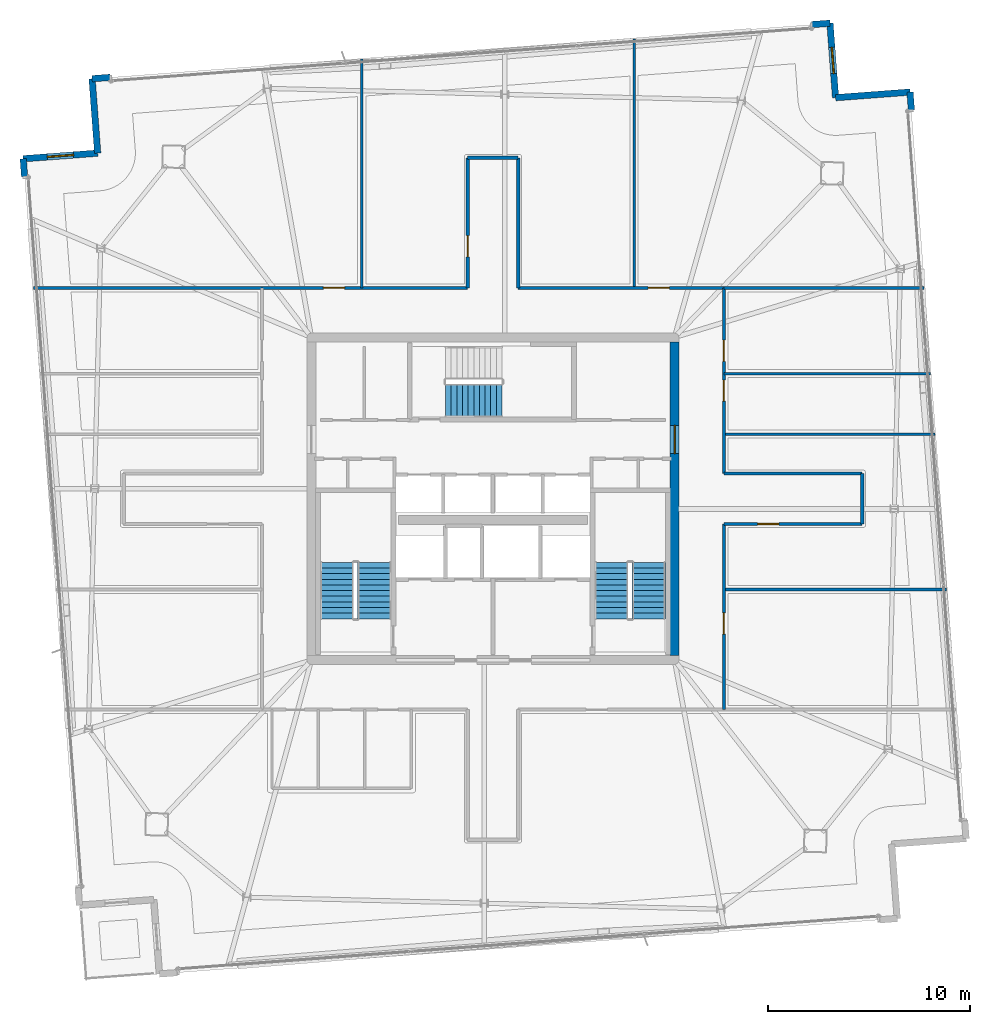
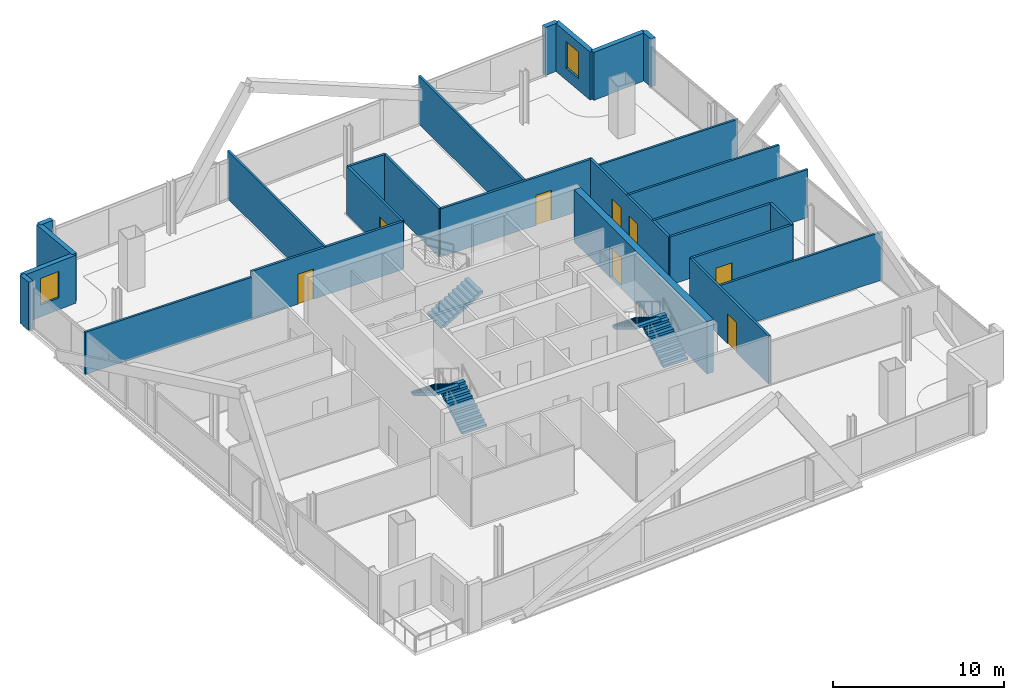
# One storey, part 19 of 23: 26 walls, 8 doors, 5 stair flights, 2 windows, 10 openings, 3 elements without a shape of their own.
"""IFC4 building model written with IfcOpenShell, lengths in metres."""

from ifc_helpers import new_model, si_unit, direction, frame, frame_2d, origin, place, context, subcontext, project, spatial, polyline, rectangle, outline, extrude, material, layer, layer_set, type_object, element, fill, aggregate, save


model = new_model("IFC4")

# Units and contexts
model_context = context("Model", 3, precision=1e-05, world=origin(), true_north=direction((0.0, 1.0)))
body_context = subcontext(model_context, "Body", "Model", "MODEL_VIEW")
ifc_project = project(units=[si_unit("LENGTHUNIT", "METRE"), si_unit("AREAUNIT", "SQUARE_METRE"), si_unit("VOLUMEUNIT", "CUBIC_METRE"), si_unit("PLANEANGLEUNIT", "RADIAN"), si_unit("MASSUNIT", "GRAM", prefix="KILO")], contexts=[model_context])

# Site, building, storey
site_placement = place(None, origin())
site = spatial("IfcSite", under=ifc_project, at=site_placement, CompositionType="ELEMENT")
building_placement = place(site_placement, origin())
building = spatial("IfcBuilding", under=site, at=building_placement, Name="Haldenkirk Collegiate Tower", CompositionType="ELEMENT")
storey_placement = place(building_placement, frame((0.0, 0.0, 343.949951171875)))
storey = spatial("IfcBuildingStorey", under=building, at=storey_placement, Name="L87", CompositionType="ELEMENT", Elevation=343.949951171875)

# Wall, opening, door
ifc_material_1 = material(Name="Concrete f'c 55 MPa", Category="concrete")
ifc_layer_1 = layer(ifc_material_1, 0.449951171875)
ifc_layer_set_1 = layer_set([ifc_layer_1], Name="Concrete f'c 55 MPa")
wall_type_1 = type_object("IfcWallType", Name="WL-CORE-450", PredefinedType="SHEAR", material=ifc_layer_set_1)
wall_1_placement = place(storey_placement, frame((45.0, 18.22509765625, 0.0), z_axis=(0.0, 0.0, 1.0), x_axis=(0.0, 1.0, 0.0)))
wall_1 = element("IfcWall", 1, at=wall_1_placement, inside=storey, type_object=wall_type_1, Name="L87 central core shear wall E", PredefinedType="SHEAR", context=body_context, shape_type="SweptSolid", body=[
    extrude(rectangle(XDim=15.5498046875, YDim=0.449951171875, at=frame_2d((7.77490234375, 0.0))), origin(), (0.0, 0.0, 1.0), 3.75),
])
opening_1_placement = place(wall_1_placement, frame((10.014892578125, 0.0, 0.0)))
opening_1 = element("IfcOpeningElement", 2, at=opening_1_placement, cuts=wall_1, Name="Opening D-03", PredefinedType="OPENING", context=body_context, shape_type="SweptSolid", body=[
    extrude(rectangle(XDim=1.39990234375, YDim=2.199951171875, at=frame_2d((0.699951171875, 1.10009765625))), frame((0.0, 0.23486328125, 0.0), z_axis=(0.0, -1.0, 0.0), x_axis=(1.0, 0.0, 0.0)), (0.0, 0.0, 1.0), 0.469970703125),
])
ifc_material_2 = material(Name="Galvanized fire-rated hollow steel door", Category="steel")
ifc_layer_2 = layer(ifc_material_2, 0.06005859375)
ifc_layer_set_2 = layer_set([ifc_layer_2], Name="Galvanized fire-rated hollow steel door")
door_type_1 = type_object("IfcDoorType", Name="DR-LOBBY-FD90-1400", OperationType="NOTDEFINED", PredefinedType="DOOR", material=ifc_layer_set_2)
door_1_placement = place(opening_1_placement, origin())
door_1 = element("IfcDoor", 3, at=door_1_placement, inside=storey, type_object=door_type_1, Name="L87 east lift lobby portal", OperationType="DOUBLE_DOOR_SINGLE_SWING", OverallHeight=2.199951171875, OverallWidth=1.39990234375, PredefinedType="DOOR", context=body_context, shape_type="SweptSolid", body=[
    extrude(rectangle(XDim=1.39990234375, YDim=2.199951171875, at=frame_2d((0.699951171875, 1.10009765625))), frame((0.0, 0.02490234375, 0.0), z_axis=(0.0, -1.0, 0.0), x_axis=(1.0, 0.0, 0.0)), (0.0, 0.0, 1.0), 0.050048828125),
])
fill(opening_1, door_1)

# Walls
ifc_material_3 = material(Name="Precast concrete f'c 40 MPa", Category="concrete")
ifc_layer_3 = layer(ifc_material_3, 0.320068359375)
ifc_layer_set_3 = layer_set([ifc_layer_3], Name="Precast concrete f'c 40 MPa")
wall_type_2 = type_object("IfcWallType", Name="WL-EXT-TWR-320", PredefinedType="STANDARD", material=ifc_layer_set_3)
wall_2_placement = place(storey_placement, frame((56.671875, 46.15673828125, 0.0), z_axis=(0.0, 0.0, 1.0), x_axis=(0.075140616575, -0.997172947758, 0.0)))
element("IfcWall", 4, at=wall_2_placement, inside=storey, type_object=wall_type_2, Name="L87 precast corner pier SL", PredefinedType="STANDARD", context=body_context, shape_type="SweptSolid", body=[
    extrude(rectangle(XDim=0.89990234375, YDim=0.320068359375, at=frame_2d((0.449951171875, 0.0))), origin(), (0.0, 0.0, 1.0), 3.429931640625),
])
wall_3_placement = place(storey_placement, frame((52.982421875, 45.87939453125, 0.0), z_axis=(0.0, 0.0, 1.0), x_axis=(0.99718649992, 0.074960552138, 0.0)))
element("IfcWall", 5, at=wall_3_placement, inside=storey, type_object=wall_type_2, Name="L87 bronze precast notch wall 02", PredefinedType="STANDARD", context=body_context, shape_type="SweptSolid", body=[
    extrude(rectangle(XDim=3.699951171875, YDim=0.320068359375, at=frame_2d((1.85009765625, 0.0))), origin(), (0.0, 0.0, 1.0), 3.429931640625),
])

# Wall, opening, window
wall_4_placement = place(storey_placement, frame((52.704833984375, 49.56884765625, 0.0), z_axis=(0.0, 0.0, 1.0), x_axis=(0.075026167269, -0.997181565325, 0.0)))
wall_4 = element("IfcWall", 6, at=wall_4_placement, inside=storey, type_object=wall_type_2, Name="L87 bronze precast notch wall 03", PredefinedType="STANDARD", context=body_context, shape_type="SweptSolid", body=[
    extrude(rectangle(XDim=3.699951171875, YDim=0.320068359375, at=frame_2d((1.85009765625, 0.0))), origin(), (0.0, 0.0, 1.0), 3.429931640625),
])
opening_2_placement = place(wall_4_placement, frame((1.199951171875, 0.0, 0.85009765625)))
opening_2 = element("IfcOpeningElement", 7, at=opening_2_placement, cuts=wall_4, Name="Opening W-08", PredefinedType="OPENING", context=body_context, shape_type="SweptSolid", body=[
    extrude(rectangle(XDim=1.300048828125, YDim=1.89990234375, at=frame_2d((0.64990234375, 0.949951171875))), frame((0.0, 0.169921875, 0.0), z_axis=(0.0, -1.0, 0.0), x_axis=(1.0, 0.0, 0.0)), (0.0, 0.0, 1.0), 0.340087890625),
])
ifc_material_4 = material(Name="Low-E argon triple insulating glass", Category="glass")
ifc_layer_4 = layer(ifc_material_4, 0.090087890625)
ifc_layer_set_4 = layer_set([ifc_layer_4], Name="Low-E argon triple insulating glass")
window_type = type_object("IfcWindowType", Name="WN-Z6-1300X1900", PartitioningType="SINGLE_PANEL", PredefinedType="WINDOW", material=ifc_layer_set_4)
window_1_placement = place(opening_2_placement, origin())
window_1 = element("IfcWindow", 8, at=window_1_placement, inside=storey, type_object=window_type, Name="L87 precast-frame academic window 2", OverallHeight=1.89990234375, OverallWidth=1.300048828125, PartitioningType="SINGLE_PANEL", PredefinedType="WINDOW", context=body_context, shape_type="SweptSolid", body=[
    extrude(rectangle(XDim=1.300048828125, YDim=1.89990234375, at=frame_2d((0.64990234375, 0.949951171875))), frame((0.0, 0.030029296875, 0.0), z_axis=(0.0, -1.0, 0.0), x_axis=(1.0, 0.0, 0.0)), (0.0, 0.0, 1.0), 0.06005859375),
])
fill(opening_2, window_1)

# Walls
for number, where, z_axis, x_axis, name in (
    (9, (16.133056640625, 46.819091796875, 0.0), (0.0, 0.0, 1.0), (0.997193237142, 0.074870874171, 0.0), "L87 precast corner pier EL"),
    (10, (51.807373046875, 49.50146484375, 0.0), (0.0, 0.0, 1.0), (0.997193237142, 0.074870874171, 0.0), "L87 precast corner pier ER"),
):
    element("IfcWall", number, at=place(storey_placement, frame(where, z_axis=z_axis, x_axis=x_axis)), inside=storey, type_object=wall_type_2, Name=name, PredefinedType="STANDARD", context=body_context, shape_type="SweptSolid", body=[
        extrude(rectangle(XDim=0.89990234375, YDim=0.320068359375, at=frame_2d((0.449951171875, 0.0))), origin(), (0.0, 0.0, 1.0), 3.429931640625),
    ])
wall_5_placement = place(storey_placement, frame((16.410400390625, 43.12939453125, 0.0), z_axis=(0.0, 0.0, 1.0), x_axis=(-0.074955620001, 0.997186870667, 0.0)))
element("IfcWall", 11, at=wall_5_placement, inside=storey, type_object=wall_type_2, Name="L87 bronze precast notch wall 05", PredefinedType="STANDARD", context=body_context, shape_type="SweptSolid", body=[
    extrude(rectangle(XDim=3.7001953125, YDim=0.320068359375, at=frame_2d((1.85009765625, 0.0))), origin(), (0.0, 0.0, 1.0), 3.429931640625),
])

# Wall, opening, window
wall_6_placement = place(storey_placement, frame((12.720947265625, 42.85205078125, 0.0), z_axis=(0.0, 0.0, 1.0), x_axis=(0.99718649992, 0.074960552138, 0.0)))
wall_6 = element("IfcWall", 12, at=wall_6_placement, inside=storey, type_object=wall_type_2, Name="L87 bronze precast notch wall 06", PredefinedType="STANDARD", context=body_context, shape_type="SweptSolid", body=[
    extrude(rectangle(XDim=3.699951171875, YDim=0.320068359375, at=frame_2d((1.85009765625, 0.0))), origin(), (0.0, 0.0, 1.0), 3.429931640625),
])
opening_3_placement = place(wall_6_placement, frame((1.199951171875, 0.0, 0.85009765625)))
opening_3 = element("IfcOpeningElement", 13, at=opening_3_placement, cuts=wall_6, Name="Opening W-08", PredefinedType="OPENING", context=body_context, shape_type="SweptSolid", body=[
    extrude(rectangle(XDim=1.300048828125, YDim=1.89990234375, at=frame_2d((0.64990234375, 0.949951171875))), frame((0.0, 0.169921875, 0.0), z_axis=(0.0, -1.0, 0.0), x_axis=(1.0, 0.0, 0.0)), (0.0, 0.0, 1.0), 0.340087890625),
])
window_2_placement = place(opening_3_placement, origin())
window_2 = element("IfcWindow", 14, at=window_2_placement, inside=storey, type_object=window_type, Name="L87 precast-frame academic window 5", OverallHeight=1.89990234375, OverallWidth=1.300048828125, PartitioningType="SINGLE_PANEL", PredefinedType="WINDOW", context=body_context, shape_type="SweptSolid", body=[
    extrude(rectangle(XDim=1.300048828125, YDim=1.89990234375, at=frame_2d((0.64990234375, 0.949951171875))), frame((0.0, 0.030029296875, 0.0), z_axis=(0.0, -1.0, 0.0), x_axis=(1.0, 0.0, 0.0)), (0.0, 0.0, 1.0), 0.06005859375),
])
fill(opening_3, window_2)

# Wall
wall_7_placement = place(storey_placement, frame((12.788330078125, 41.95458984375, 0.0), z_axis=(0.0, 0.0, 1.0), x_axis=(-0.074870874171, 0.997193237142, 0.0)))
element("IfcWall", 15, at=wall_7_placement, inside=storey, type_object=wall_type_2, Name="L87 precast corner pier NR", PredefinedType="STANDARD", context=body_context, shape_type="SweptSolid", body=[
    extrude(rectangle(XDim=0.89990234375, YDim=0.320068359375, at=frame_2d((0.449951171875, 0.0))), origin(), (0.0, 0.0, 1.0), 3.429931640625),
])

# Wall, opening, door
ifc_material_5 = material(Name="Acoustic fire-rated gypsum partition", Category="concrete")
ifc_layer_5 = layer(ifc_material_5, 0.159912109375)
ifc_layer_set_5 = layer_set([ifc_layer_5], Name="Acoustic fire-rated gypsum partition")
wall_type_3 = type_object("IfcWallType", Name="WL-INT-CORR-160", PredefinedType="PARTITIONING", material=ifc_layer_set_5)
wall_8_placement = place(storey_placement, frame((24.5, 36.449951171875, 0.0), z_axis=(0.0, 0.0, 1.0), x_axis=(1.0, 0.0, 0.0)))
wall_8 = element("IfcWall", 16, at=wall_8_placement, inside=storey, type_object=wall_type_3, Name="L87 interior partition IW-L87-CN1", PredefinedType="PARTITIONING", context=body_context, shape_type="SweptSolid", body=[
    extrude(rectangle(XDim=10.25, YDim=0.159912109375, at=frame_2d((5.125, 0.0))), origin(), (0.0, 0.0, 1.0), 3.429931640625),
])
opening_4_placement = place(wall_8_placement, frame((3.10107421875, 0.0, 0.0)))
opening_4 = element("IfcOpeningElement", 17, at=opening_4_placement, cuts=wall_8, Name="Opening D-09", PredefinedType="OPENING", context=body_context, shape_type="SweptSolid", body=[
    extrude(rectangle(XDim=1.050048828125, YDim=2.14990234375, at=frame_2d((0.52490234375, 1.074951171875))), frame((0.0, 0.08984375, 0.0), z_axis=(0.0, -1.0, 0.0), x_axis=(1.0, 0.0, 0.0)), (0.0, 0.0, 1.0), 0.179931640625),
])
ifc_material_6 = material(Name="Solid-core architectural oak fire door", Category="wood")
ifc_layer_6 = layer(ifc_material_6, 0.06005859375)
ifc_layer_set_6 = layer_set([ifc_layer_6], Name="Solid-core architectural oak fire door")
door_type_2 = type_object("IfcDoorType", Name="DR-INT-FD60-1050", OperationType="NOTDEFINED", PredefinedType="DOOR", material=ifc_layer_set_6)
door_2_placement = place(opening_4_placement, origin())
door_2 = element("IfcDoor", 18, at=door_2_placement, inside=storey, type_object=door_type_2, Name="L87 Catering Tea Kitchen 2 door", OperationType="SINGLE_SWING_RIGHT", OverallHeight=2.14990234375, OverallWidth=1.050048828125, PredefinedType="DOOR", context=body_context, shape_type="SweptSolid", body=[
    extrude(rectangle(XDim=1.050048828125, YDim=2.14990234375, at=frame_2d((0.52490234375, 1.074951171875))), frame((0.0, 0.02490234375, 0.0), z_axis=(0.0, -1.0, 0.0), x_axis=(1.0, 0.0, 0.0)), (0.0, 0.0, 1.0), 0.050048828125),
])
fill(opening_4, door_2)

wall_9_placement = place(storey_placement, frame((37.25, 36.449951171875, 0.0), z_axis=(0.0, 0.0, 1.0), x_axis=(1.0, 0.0, 0.0)))
wall_9 = element("IfcWall", 19, at=wall_9_placement, inside=storey, type_object=wall_type_3, Name="L87 interior partition IW-L87-CN2", PredefinedType="PARTITIONING", context=body_context, shape_type="SweptSolid", body=[
    extrude(rectangle(XDim=10.25, YDim=0.159912109375, at=frame_2d((5.125, 0.0))), origin(), (0.0, 0.0, 1.0), 3.429931640625),
])
opening_5_placement = place(wall_9_placement, frame((6.43896484375, 0.0, 0.0)))
opening_5 = element("IfcOpeningElement", 20, at=opening_5_placement, cuts=wall_9, Name="Opening D-09", PredefinedType="OPENING", context=body_context, shape_type="SweptSolid", body=[
    extrude(rectangle(XDim=1.050048828125, YDim=2.14990234375, at=frame_2d((0.52490234375, 1.074951171875))), frame((0.0, 0.08984375, 0.0), z_axis=(0.0, -1.0, 0.0), x_axis=(1.0, 0.0, 0.0)), (0.0, 0.0, 1.0), 0.179931640625),
])
door_3_placement = place(opening_5_placement, origin())
door_3 = element("IfcDoor", 21, at=door_3_placement, inside=storey, type_object=door_type_2, Name="L87 Academic Tea Kitchen 4 door", OperationType="SINGLE_SWING_RIGHT", OverallHeight=2.14990234375, OverallWidth=1.050048828125, PredefinedType="DOOR", context=body_context, shape_type="SweptSolid", body=[
    extrude(rectangle(XDim=1.050048828125, YDim=2.14990234375, at=frame_2d((0.52490234375, 1.074951171875))), frame((0.0, 0.02490234375, 0.0), z_axis=(0.0, -1.0, 0.0), x_axis=(1.0, 0.0, 0.0)), (0.0, 0.0, 1.0), 0.050048828125),
])
fill(opening_5, door_3)

wall_10_placement = place(storey_placement, frame((47.449951171875, 15.550048828125, 0.0), z_axis=(0.0, 0.0, 1.0), x_axis=(0.0, 1.0, 0.0)))
wall_10 = element("IfcWall", 22, at=wall_10_placement, inside=storey, type_object=wall_type_3, Name="L87 interior partition IW-L87-CE1", PredefinedType="PARTITIONING", context=body_context, shape_type="SweptSolid", body=[
    extrude(rectangle(XDim=9.199951171875, YDim=0.159912109375, at=frame_2d((4.60009765625, 0.0))), origin(), (0.0, 0.0, 1.0), 3.429931640625),
])
opening_6_placement = place(wall_10_placement, frame((3.7470703125, 0.0, 0.0)))
opening_6 = element("IfcOpeningElement", 23, at=opening_6_placement, cuts=wall_10, Name="Opening D-09", PredefinedType="OPENING", context=body_context, shape_type="SweptSolid", body=[
    extrude(rectangle(XDim=1.050048828125, YDim=2.14990234375, at=frame_2d((0.52490234375, 1.074951171875))), frame((0.0, 0.08984375, 0.0), z_axis=(0.0, -1.0, 0.0), x_axis=(1.0, 0.0, 0.0)), (0.0, 0.0, 1.0), 0.179931640625),
])
door_4_placement = place(opening_6_placement, origin())
door_4 = element("IfcDoor", 24, at=door_4_placement, inside=storey, type_object=door_type_2, Name="L87 Faculty Tea Kitchen 9 door", OperationType="SINGLE_SWING_LEFT", OverallHeight=2.14990234375, OverallWidth=1.050048828125, PredefinedType="DOOR", context=body_context, shape_type="SweptSolid", body=[
    extrude(rectangle(XDim=1.050048828125, YDim=2.14990234375, at=frame_2d((0.52490234375, 1.074951171875))), frame((0.0, 0.02490234375, 0.0), z_axis=(0.0, -1.0, 0.0), x_axis=(1.0, 0.0, 0.0)), (0.0, 0.0, 1.0), 0.050048828125),
])
fill(opening_6, door_4)

# Wall, openings, doors
wall_11_placement = place(storey_placement, frame((47.449951171875, 27.25, 0.0), z_axis=(0.0, 0.0, 1.0), x_axis=(0.0, 1.0, 0.0)))
wall_11 = element("IfcWall", 25, at=wall_11_placement, inside=storey, type_object=wall_type_3, Name="L87 interior partition IW-L87-CE2", PredefinedType="PARTITIONING", context=body_context, shape_type="SweptSolid", body=[
    extrude(rectangle(XDim=9.199951171875, YDim=0.159912109375, at=frame_2d((4.60009765625, 0.0))), origin(), (0.0, 0.0, 1.0), 3.429931640625),
])
opening_7_placement = place(wall_11_placement, frame((3.5849609375, 0.0, 0.0)))
opening_7 = element("IfcOpeningElement", 26, at=opening_7_placement, cuts=wall_11, Name="Opening D-09", PredefinedType="OPENING", context=body_context, shape_type="SweptSolid", body=[
    extrude(rectangle(XDim=1.050048828125, YDim=2.14990234375, at=frame_2d((0.52490234375, 1.074951171875))), frame((0.0, 0.08984375, 0.0), z_axis=(0.0, -1.0, 0.0), x_axis=(1.0, 0.0, 0.0)), (0.0, 0.0, 1.0), 0.179931640625),
])
opening_8_placement = place(wall_11_placement, frame((5.55908203125, 0.0, 0.0)))
opening_8 = element("IfcOpeningElement", 27, at=opening_8_placement, cuts=wall_11, Name="Opening D-09", PredefinedType="OPENING", context=body_context, shape_type="SweptSolid", body=[
    extrude(rectangle(XDim=1.050048828125, YDim=2.14990234375, at=frame_2d((0.52490234375, 1.074951171875))), frame((0.0, 0.08984375, 0.0), z_axis=(0.0, -1.0, 0.0), x_axis=(1.0, 0.0, 0.0)), (0.0, 0.0, 1.0), 0.179931640625),
])
door_5_placement = place(opening_7_placement, origin())
door_5 = element("IfcDoor", 28, at=door_5_placement, inside=storey, type_object=door_type_2, Name="L87 Wet Science Laboratory 11 door", OperationType="SINGLE_SWING_LEFT", OverallHeight=2.14990234375, OverallWidth=1.050048828125, PredefinedType="DOOR", context=body_context, shape_type="SweptSolid", body=[
    extrude(rectangle(XDim=1.050048828125, YDim=2.14990234375, at=frame_2d((0.52490234375, 1.074951171875))), frame((0.0, 0.02490234375, 0.0), z_axis=(0.0, -1.0, 0.0), x_axis=(1.0, 0.0, 0.0)), (0.0, 0.0, 1.0), 0.050048828125),
])
fill(opening_7, door_5)
door_6_placement = place(opening_8_placement, origin())
door_6 = element("IfcDoor", 29, at=door_6_placement, inside=storey, type_object=door_type_2, Name="L87 Model Shop Laboratory 12 door", OperationType="SINGLE_SWING_RIGHT", OverallHeight=2.14990234375, OverallWidth=1.050048828125, PredefinedType="DOOR", context=body_context, shape_type="SweptSolid", body=[
    extrude(rectangle(XDim=1.050048828125, YDim=2.14990234375, at=frame_2d((0.52490234375, 1.074951171875))), frame((0.0, 0.02490234375, 0.0), z_axis=(0.0, -1.0, 0.0), x_axis=(1.0, 0.0, 0.0)), (0.0, 0.0, 1.0), 0.050048828125),
])
fill(opening_8, door_6)

# Wall, opening, door
wall_12_placement = place(storey_placement, frame((34.75, 36.449951171875, 0.0), z_axis=(0.0, 0.0, 1.0), x_axis=(0.0, 1.0, 0.0)))
wall_12 = element("IfcWall", 30, at=wall_12_placement, inside=storey, type_object=wall_type_3, Name="L87 interior partition IW-L87-NPW", PredefinedType="PARTITIONING", context=body_context, shape_type="SweptSolid", body=[
    extrude(rectangle(XDim=6.449951171875, YDim=0.159912109375, at=frame_2d((3.22509765625, 0.0))), origin(), (0.0, 0.0, 1.0), 3.429931640625),
])
opening_9_placement = place(wall_12_placement, frame((1.5390625, 0.0, 0.0)))
opening_9 = element("IfcOpeningElement", 31, at=opening_9_placement, cuts=wall_12, Name="Opening D-09", PredefinedType="OPENING", context=body_context, shape_type="SweptSolid", body=[
    extrude(rectangle(XDim=1.050048828125, YDim=2.14990234375, at=frame_2d((0.52490234375, 1.074951171875))), frame((0.0, 0.08984375, 0.0), z_axis=(0.0, -1.0, 0.0), x_axis=(1.0, 0.0, 0.0)), (0.0, 0.0, 1.0), 0.179931640625),
])
door_7_placement = place(opening_9_placement, origin())
door_7 = element("IfcDoor", 32, at=door_7_placement, inside=storey, type_object=door_type_2, Name="L87 Faculty Tea Kitchen 3 door", OperationType="SINGLE_SWING_LEFT", OverallHeight=2.14990234375, OverallWidth=1.050048828125, PredefinedType="DOOR", context=body_context, shape_type="SweptSolid", body=[
    extrude(rectangle(XDim=1.050048828125, YDim=2.14990234375, at=frame_2d((0.52490234375, 1.074951171875))), frame((0.0, 0.02490234375, 0.0), z_axis=(0.0, -1.0, 0.0), x_axis=(1.0, 0.0, 0.0)), (0.0, 0.0, 1.0), 0.050048828125),
])
fill(opening_9, door_7)

# Walls
wall_13_placement = place(storey_placement, frame((37.25, 36.449951171875, 0.0), z_axis=(0.0, 0.0, 1.0), x_axis=(0.0, 1.0, 0.0)))
element("IfcWall", 33, at=wall_13_placement, inside=storey, type_object=wall_type_3, Name="L87 interior partition IW-L87-NPE", PredefinedType="PARTITIONING", context=body_context, shape_type="SweptSolid", body=[
    extrude(rectangle(XDim=6.449951171875, YDim=0.159912109375, at=frame_2d((3.22509765625, 0.0))), origin(), (0.0, 0.0, 1.0), 3.429931640625),
])
wall_14_placement = place(storey_placement, frame((34.75, 42.89990234375, 0.0), z_axis=(0.0, 0.0, 1.0), x_axis=(1.0, 0.0, 0.0)))
element("IfcWall", 34, at=wall_14_placement, inside=storey, type_object=wall_type_3, Name="L87 interior partition IW-L87-NPN", PredefinedType="PARTITIONING", context=body_context, shape_type="SweptSolid", body=[
    extrude(rectangle(XDim=2.5, YDim=0.159912109375, at=frame_2d((1.25, 0.0))), origin(), (0.0, 0.0, 1.0), 3.429931640625),
])

# Wall, opening, door
wall_15_placement = place(storey_placement, frame((47.449951171875, 24.75, 0.0), z_axis=(0.0, 0.0, 1.0), x_axis=(1.0, 0.0, 0.0)))
wall_15 = element("IfcWall", 35, at=wall_15_placement, inside=storey, type_object=wall_type_3, Name="L87 interior partition IW-L87-EPS", PredefinedType="PARTITIONING", context=body_context, shape_type="SweptSolid", body=[
    extrude(rectangle(XDim=6.85009765625, YDim=0.159912109375, at=frame_2d((3.425048828125, 0.0))), origin(), (0.0, 0.0, 1.0), 3.429931640625),
])
opening_10_placement = place(wall_15_placement, frame((1.6669921875, 0.0, 0.0)))
opening_10 = element("IfcOpeningElement", 36, at=opening_10_placement, cuts=wall_15, Name="Opening D-09", PredefinedType="OPENING", context=body_context, shape_type="SweptSolid", body=[
    extrude(rectangle(XDim=1.050048828125, YDim=2.14990234375, at=frame_2d((0.52490234375, 1.074951171875))), frame((0.0, 0.08984375, 0.0), z_axis=(0.0, -1.0, 0.0), x_axis=(1.0, 0.0, 0.0)), (0.0, 0.0, 1.0), 0.179931640625),
])
door_8_placement = place(opening_10_placement, origin())
door_8 = element("IfcDoor", 37, at=door_8_placement, inside=storey, type_object=door_type_2, Name="L87 Academic Tea Kitchen 10 door", OperationType="SINGLE_SWING_RIGHT", OverallHeight=2.14990234375, OverallWidth=1.050048828125, PredefinedType="DOOR", context=body_context, shape_type="SweptSolid", body=[
    extrude(rectangle(XDim=1.050048828125, YDim=2.14990234375, at=frame_2d((0.52490234375, 1.074951171875))), frame((0.0, 0.02490234375, 0.0), z_axis=(0.0, -1.0, 0.0), x_axis=(1.0, 0.0, 0.0)), (0.0, 0.0, 1.0), 0.050048828125),
])
fill(opening_10, door_8)

# Walls
wall_16_placement = place(storey_placement, frame((47.449951171875, 27.25, 0.0), z_axis=(0.0, 0.0, 1.0), x_axis=(1.0, 0.0, 0.0)))
element("IfcWall", 38, at=wall_16_placement, inside=storey, type_object=wall_type_3, Name="L87 interior partition IW-L87-EPN", PredefinedType="PARTITIONING", context=body_context, shape_type="SweptSolid", body=[
    extrude(rectangle(XDim=6.85009765625, YDim=0.159912109375, at=frame_2d((3.425048828125, 0.0))), origin(), (0.0, 0.0, 1.0), 3.429931640625),
])
wall_17_placement = place(storey_placement, frame((54.300048828125, 24.75, 0.0), z_axis=(0.0, 0.0, 1.0), x_axis=(0.0, 1.0, 0.0)))
element("IfcWall", 39, at=wall_17_placement, inside=storey, type_object=wall_type_3, Name="L87 interior partition IW-L87-EPE", PredefinedType="PARTITIONING", context=body_context, shape_type="SweptSolid", body=[
    extrude(rectangle(XDim=2.5, YDim=0.159912109375, at=frame_2d((1.25, 0.0))), origin(), (0.0, 0.0, 1.0), 3.429931640625),
])
ifc_layer_7 = layer(ifc_material_5, 0.139892578125)
ifc_layer_set_7 = layer_set([ifc_layer_7], Name="Acoustic fire-rated gypsum partition")
wall_type_4 = type_object("IfcWallType", Name="WL-INT-DIV-140", PredefinedType="PARTITIONING", material=ifc_layer_set_7)
wall_18_placement = place(storey_placement, frame((13.242431640625, 36.449951171875, 0.0), z_axis=(0.0, 0.0, 1.0), x_axis=(1.0, 0.0, 0.0)))
element("IfcWall", 40, at=wall_18_placement, inside=storey, type_object=wall_type_4, Name="L87 interior partition IW-L87-BWN", PredefinedType="PARTITIONING", context=body_context, shape_type="SweptSolid", body=[
    extrude(rectangle(XDim=11.3076171875, YDim=0.139892578125, at=frame_2d((5.65380859375, 0.0))), origin(), (0.0, 0.0, 1.0), 3.01904296875),
])
wall_19_placement = place(storey_placement, frame((47.449951171875, 36.449951171875, 0.0), z_axis=(0.0, 0.0, 1.0), x_axis=(1.0, 0.0, 0.0)))
element("IfcWall", 41, at=wall_19_placement, inside=storey, type_object=wall_type_4, Name="L87 interior partition IW-L87-BEN", PredefinedType="PARTITIONING", context=body_context, shape_type="SweptSolid", body=[
    extrude(rectangle(XDim=9.91162109375, YDim=0.139892578125, at=frame_2d((4.955810546875, 0.0))), origin(), (0.0, 0.0, 1.0), 2.80810546875),
])
wall_20_placement = place(storey_placement, frame((29.5, 36.449951171875, 0.0), z_axis=(0.0, 0.0, 1.0), x_axis=(0.0, 1.0, 0.0)))
element("IfcWall", 42, at=wall_20_placement, inside=storey, type_object=wall_type_4, Name="L87 interior partition IW-L87-RN1", PredefinedType="PARTITIONING", context=body_context, shape_type="SweptSolid", body=[
    extrude(rectangle(XDim=11.333984375, YDim=0.139892578125, at=frame_2d((5.6669921875, 0.0))), origin(), (0.0, 0.0, 1.0), 3.429931640625),
])
wall_21_placement = place(storey_placement, frame((43.0, 36.449951171875, 0.0), z_axis=(0.0, 0.0, 1.0), x_axis=(0.0, 1.0, 0.0)))
element("IfcWall", 43, at=wall_21_placement, inside=storey, type_object=wall_type_4, Name="L87 interior partition IW-L87-RN2", PredefinedType="PARTITIONING", context=body_context, shape_type="SweptSolid", body=[
    extrude(rectangle(XDim=12.34912109375, YDim=0.139892578125, at=frame_2d((6.174560546875, 0.0))), origin(), (0.0, 0.0, 1.0), 3.429931640625),
])
wall_22_placement = place(storey_placement, frame((47.449951171875, 21.5, 0.0), z_axis=(0.0, 0.0, 1.0), x_axis=(1.0, 0.0, 0.0)))
element("IfcWall", 44, at=wall_22_placement, inside=storey, type_object=wall_type_4, Name="L87 interior partition IW-L87-RE1", PredefinedType="PARTITIONING", context=body_context, shape_type="SweptSolid", body=[
    extrude(rectangle(XDim=11.03564453125, YDim=0.139892578125, at=frame_2d((5.517822265625, 0.0))), origin(), (0.0, 0.0, 1.0), 3.429931640625),
])
wall_23_placement = place(storey_placement, frame((47.449951171875, 29.199951171875, 0.0), z_axis=(0.0, 0.0, 1.0), x_axis=(1.0, 0.0, 0.0)))
element("IfcWall", 45, at=wall_23_placement, inside=storey, type_object=wall_type_4, Name="L87 interior partition IW-L87-RE2", PredefinedType="PARTITIONING", context=body_context, shape_type="SweptSolid", body=[
    extrude(rectangle(XDim=10.456787109375, YDim=0.139892578125, at=frame_2d((5.228515625, 0.0))), origin(), (0.0, 0.0, 1.0), 3.429931640625),
])
wall_24_placement = place(storey_placement, frame((47.449951171875, 32.199951171875, 0.0), z_axis=(0.0, 0.0, 1.0), x_axis=(1.0, 0.0, 0.0)))
element("IfcWall", 46, at=wall_24_placement, inside=storey, type_object=wall_type_4, Name="L87 interior partition IW-L87-RE3", PredefinedType="PARTITIONING", context=body_context, shape_type="SweptSolid", body=[
    extrude(rectangle(XDim=10.231201171875, YDim=0.139892578125, at=frame_2d((5.11572265625, 0.0))), origin(), (0.0, 0.0, 1.0), 3.429931640625),
])

# Stair, stair flights
ifc_material_7 = material(Name="Concrete f'c 40 MPa", Category="concrete")
stair_type = type_object("IfcStairType", Name="STR-DOGLEG-1650", PredefinedType="HALF_TURN_STAIR", material=ifc_material_7)
stair_1_placement = place(storey_placement, origin())
stair_1 = element("IfcStair", 47, at=stair_1_placement, inside=storey, type_object=stair_type, Name="L87 Core Exit Stair ST-1", PredefinedType="HALF_TURN_STAIR")
stair_flight_type = type_object("IfcStairFlightType", Name="STF-FLIGHT-1650", PredefinedType="STRAIGHT", material=ifc_material_7)
stair_flight_1_placement = place(storey_placement, frame((30.125, 20.050048828125, 0.0), z_axis=(0.0, 0.0, 1.0), x_axis=(0.0, 1.0, 0.0)))
stair_flight_1 = element("IfcStairFlight", 48, at=stair_flight_1_placement, type_object=stair_flight_type, Name="ST-1 flight 1", NumberOfRisers=11, NumberOfTreads=10, PredefinedType="STRAIGHT", RiserHeight=0.170454545, TreadLength=0.28, context=body_context, shape_type="SweptSolid", body=[
    extrude(outline(polyline([(0.0, 0.0), (0.0, 0.17041015625), (0.280029296875, 0.17041015625), (0.280029296875, 0.3408203125), (0.56005859375, 0.3408203125), (0.56005859375, 0.511474609375), (0.840087890625, 0.511474609375), (0.840087890625, 0.681884765625), (1.1201171875, 0.681884765625), (1.1201171875, 0.852294921875), (1.39990234375, 0.852294921875), (1.39990234375, 1.022705078125), (1.679931640625, 1.022705078125), (1.679931640625, 1.193115234375), (1.9599609375, 1.193115234375), (1.9599609375, 1.363525390625), (2.239990234375, 1.363525390625), (2.239990234375, 1.5341796875), (2.52001953125, 1.5341796875), (2.52001953125, 1.70458984375), (2.800048828125, 1.70458984375), (2.800048828125, 1.875), (2.800048828125, 1.529052734375), (0.288330078125, 0.0), (0.0, 0.0)])), frame((0.0, 0.824951171875, 0.0), z_axis=(0.0, -1.0, 0.0), x_axis=(1.0, 0.0, 0.0)), (0.0, 0.0, 1.0), 1.64990234375),
])
stair_flight_2_placement = place(storey_placement, frame((28.27490234375, 22.85009765625, 1.875), z_axis=(0.0, 0.0, 1.0), x_axis=(0.0, -1.0, 0.0)))
stair_flight_2 = element("IfcStairFlight", 49, at=stair_flight_2_placement, type_object=stair_flight_type, Name="ST-1 flight 2", NumberOfRisers=11, NumberOfTreads=10, PredefinedType="STRAIGHT", RiserHeight=0.170454545, TreadLength=0.28, context=body_context, shape_type="SweptSolid", body=[
    extrude(outline(polyline([(0.0, 0.0), (0.0, 0.17041015625), (0.280029296875, 0.17041015625), (0.280029296875, 0.3408203125), (0.56005859375, 0.3408203125), (0.56005859375, 0.511474609375), (0.840087890625, 0.511474609375), (0.840087890625, 0.681884765625), (1.1201171875, 0.681884765625), (1.1201171875, 0.852294921875), (1.39990234375, 0.852294921875), (1.39990234375, 1.022705078125), (1.679931640625, 1.022705078125), (1.679931640625, 1.193115234375), (1.9599609375, 1.193115234375), (1.9599609375, 1.363525390625), (2.239990234375, 1.363525390625), (2.239990234375, 1.5341796875), (2.52001953125, 1.5341796875), (2.52001953125, 1.70458984375), (2.800048828125, 1.70458984375), (2.800048828125, 1.875), (2.800048828125, 1.529052734375), (0.288330078125, 0.0), (0.0, 0.0)])), frame((0.0, 0.824951171875, 0.0), z_axis=(0.0, -1.0, 0.0), x_axis=(1.0, 0.0, 0.0)), (0.0, 0.0, 1.0), 1.64990234375),
])
aggregate(stair_1, [stair_flight_1, stair_flight_2])

stair_2_placement = place(storey_placement, origin())
stair_2 = element("IfcStair", 50, at=stair_2_placement, inside=storey, type_object=stair_type, Name="L87 Core Exit Stair ST-2", PredefinedType="HALF_TURN_STAIR")
stair_flight_3_placement = place(storey_placement, frame((43.72509765625, 20.050048828125, 0.0), z_axis=(0.0, 0.0, 1.0), x_axis=(0.0, 1.0, 0.0)))
stair_flight_3 = element("IfcStairFlight", 51, at=stair_flight_3_placement, type_object=stair_flight_type, Name="ST-2 flight 1", NumberOfRisers=11, NumberOfTreads=10, PredefinedType="STRAIGHT", RiserHeight=0.170454545, TreadLength=0.28, context=body_context, shape_type="SweptSolid", body=[
    extrude(outline(polyline([(0.0, 0.0), (0.0, 0.17041015625), (0.280029296875, 0.17041015625), (0.280029296875, 0.3408203125), (0.56005859375, 0.3408203125), (0.56005859375, 0.511474609375), (0.840087890625, 0.511474609375), (0.840087890625, 0.681884765625), (1.1201171875, 0.681884765625), (1.1201171875, 0.852294921875), (1.39990234375, 0.852294921875), (1.39990234375, 1.022705078125), (1.679931640625, 1.022705078125), (1.679931640625, 1.193115234375), (1.9599609375, 1.193115234375), (1.9599609375, 1.363525390625), (2.239990234375, 1.363525390625), (2.239990234375, 1.5341796875), (2.52001953125, 1.5341796875), (2.52001953125, 1.70458984375), (2.800048828125, 1.70458984375), (2.800048828125, 1.875), (2.800048828125, 1.529052734375), (0.288330078125, 0.0), (0.0, 0.0)])), frame((0.0, 0.824951171875, 0.0), z_axis=(0.0, -1.0, 0.0), x_axis=(1.0, 0.0, 0.0)), (0.0, 0.0, 1.0), 1.64990234375),
])
stair_flight_4_placement = place(storey_placement, frame((41.875, 22.85009765625, 1.875), z_axis=(0.0, 0.0, 1.0), x_axis=(0.0, -1.0, 0.0)))
stair_flight_4 = element("IfcStairFlight", 52, at=stair_flight_4_placement, type_object=stair_flight_type, Name="ST-2 flight 2", NumberOfRisers=11, NumberOfTreads=10, PredefinedType="STRAIGHT", RiserHeight=0.170454545, TreadLength=0.28, context=body_context, shape_type="SweptSolid", body=[
    extrude(outline(polyline([(0.0, 0.0), (0.0, 0.17041015625), (0.280029296875, 0.17041015625), (0.280029296875, 0.3408203125), (0.56005859375, 0.3408203125), (0.56005859375, 0.511474609375), (0.840087890625, 0.511474609375), (0.840087890625, 0.681884765625), (1.1201171875, 0.681884765625), (1.1201171875, 0.852294921875), (1.39990234375, 0.852294921875), (1.39990234375, 1.022705078125), (1.679931640625, 1.022705078125), (1.679931640625, 1.193115234375), (1.9599609375, 1.193115234375), (1.9599609375, 1.363525390625), (2.239990234375, 1.363525390625), (2.239990234375, 1.5341796875), (2.52001953125, 1.5341796875), (2.52001953125, 1.70458984375), (2.800048828125, 1.70458984375), (2.800048828125, 1.875), (2.800048828125, 1.529052734375), (0.288330078125, 0.0), (0.0, 0.0)])), frame((0.0, 0.824951171875, 0.0), z_axis=(0.0, -1.0, 0.0), x_axis=(1.0, 0.0, 0.0)), (0.0, 0.0, 1.0), 1.64990234375),
])
aggregate(stair_2, [stair_flight_3, stair_flight_4])

# Stair, stair flight
stair_3_placement = place(storey_placement, origin())
stair_3 = element("IfcStair", 53, at=stair_3_placement, inside=storey, type_object=stair_type, Name="L87 Core Exit Stair ST-3", PredefinedType="HALF_TURN_STAIR")
stair_flight_5_placement = place(storey_placement, frame((33.64990234375, 30.875, 0.0), z_axis=(0.0, 0.0, 1.0), x_axis=(1.0, 0.0, 0.0)))
stair_flight_5 = element("IfcStairFlight", 54, at=stair_flight_5_placement, type_object=stair_flight_type, Name="ST-3 flight 1", NumberOfRisers=11, NumberOfTreads=10, PredefinedType="STRAIGHT", RiserHeight=0.170454545, TreadLength=0.28, context=body_context, shape_type="SweptSolid", body=[
    extrude(outline(polyline([(0.0, 0.0), (0.0, 0.17041015625), (0.280029296875, 0.17041015625), (0.280029296875, 0.3408203125), (0.56005859375, 0.3408203125), (0.56005859375, 0.511474609375), (0.840087890625, 0.511474609375), (0.840087890625, 0.681884765625), (1.1201171875, 0.681884765625), (1.1201171875, 0.852294921875), (1.39990234375, 0.852294921875), (1.39990234375, 1.022705078125), (1.679931640625, 1.022705078125), (1.679931640625, 1.193115234375), (1.9599609375, 1.193115234375), (1.9599609375, 1.363525390625), (2.239990234375, 1.363525390625), (2.239990234375, 1.5341796875), (2.52001953125, 1.5341796875), (2.52001953125, 1.70458984375), (2.800048828125, 1.70458984375), (2.800048828125, 1.875), (2.800048828125, 1.529052734375), (0.288330078125, 0.0), (0.0, 0.0)])), frame((0.0, 0.824951171875, 0.0), z_axis=(0.0, -1.0, 0.0), x_axis=(1.0, 0.0, 0.0)), (0.0, 0.0, 1.0), 1.64990234375),
])
aggregate(stair_3, [stair_flight_5])

save(model, "model.ifc")
